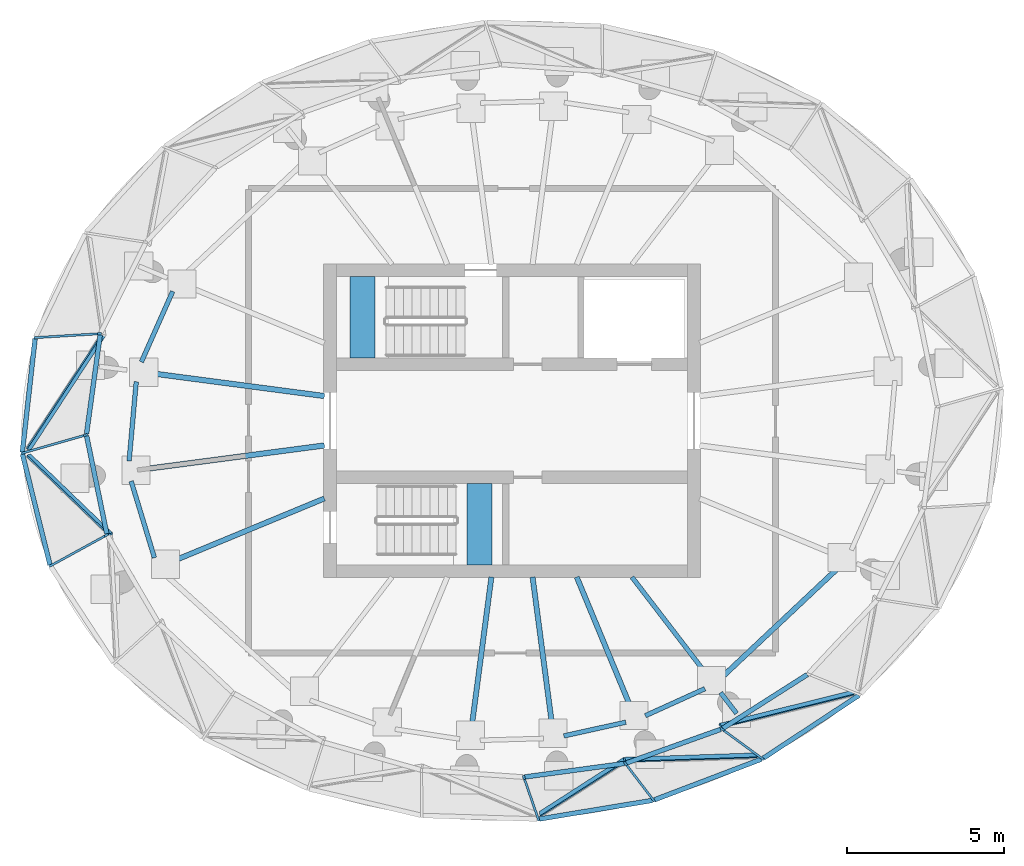
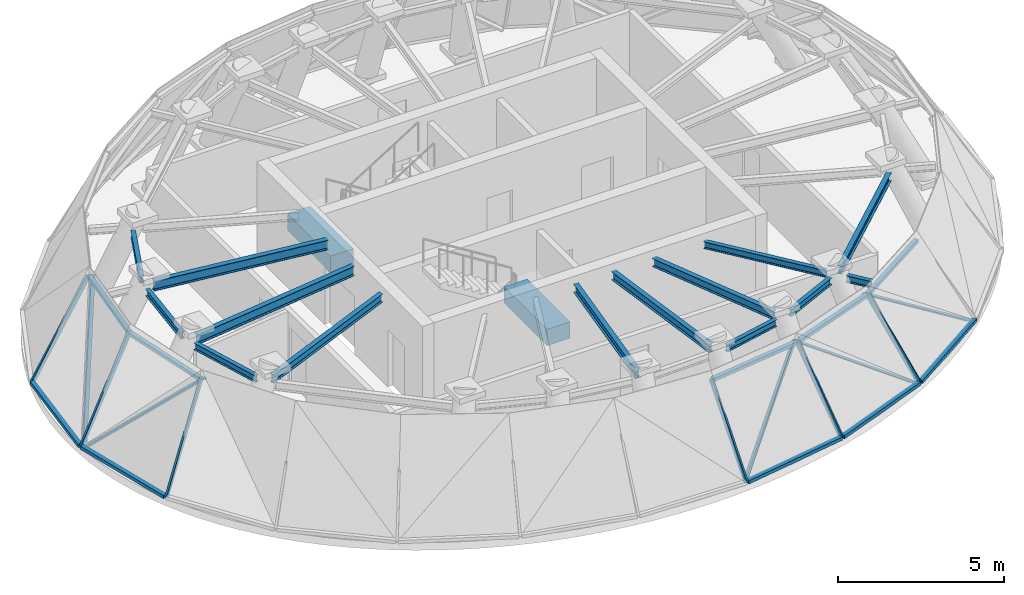
# One storey, part 2 of 8: 21 members, 16 beams, 11 elements without a shape of their own.
"""IFC4 building model written with IfcOpenShell, lengths in metres."""

from ifc_helpers import new_model, si_unit, direction, frame, origin, origin_2d, place, context, subcontext, project, spatial, rectangle, i_section, extrude, source, transform, mapped, material, layer, layer_set, material_profile, profile_set, type_object, element, aggregate, save


model = new_model("IFC4")

# Units and contexts
model_context = context("Model", 3, precision=1e-05, world=origin(), true_north=direction((0.0, 1.0)))
body_context = subcontext(model_context, "Body", "Model", "MODEL_VIEW")
ifc_project = project(units=[si_unit("LENGTHUNIT", "METRE"), si_unit("AREAUNIT", "SQUARE_METRE"), si_unit("VOLUMEUNIT", "CUBIC_METRE"), si_unit("PLANEANGLEUNIT", "RADIAN"), si_unit("MASSUNIT", "GRAM", prefix="KILO")], contexts=[model_context])

# Site, building, storey
site_placement = place(None, origin())
site = spatial("IfcSite", under=ifc_project, at=site_placement, CompositionType="ELEMENT")
building_placement = place(site_placement, origin())
building = spatial("IfcBuilding", under=site, at=building_placement, Name="Spindrift Exchange Tower", CompositionType="ELEMENT")
storey_placement = place(building_placement, frame((0.0, 0.0, 280.10009765625)))
storey = spatial("IfcBuildingStorey", under=building, at=storey_placement, Name="L69", CompositionType="ELEMENT", Elevation=280.10009765625)

# Beams
ifc_material_1 = material(Name="Steel Grade 300", Category="steel")
ifc_material_profile_1 = material_profile(ifc_material_1, i_section(OverallWidth=0.172119140625, OverallDepth=0.35888671875, WebThickness=0.008056640625, FlangeThickness=0.012939453125, FilletRadius=0.013916015625, at=origin_2d()), Name="360UB56.7")
ifc_profile_set_1 = profile_set([ifc_material_profile_1], Name="Steel Grade 300")
beam_type_1 = type_object("IfcBeamType", Name="Floor Beam 360UB56.7 Steel Grade 300", PredefinedType="BEAM", material=ifc_profile_set_1)
shared_shape_1 = source(origin(), body_context, "Body", "SweptSolid", [
    extrude(i_section(OverallWidth=0.172119140625, OverallDepth=0.35888671875, WebThickness=0.008056640625, FlangeThickness=0.012939453125, FilletRadius=0.013916015625, at=origin_2d()), origin(), (0.0, 0.0, 1.0), 5.97705078125),
])
beam_1_placement = place(storey_placement, frame((46.019775390625, 47.212646484375, 3.040283203125), z_axis=(-0.991448038251, -0.130502059169, 0.0), x_axis=(0.130502059169, -0.991448038251, 0.0)))
element("IfcBeam", 1, at=beam_1_placement, inside=storey, type_object=beam_type_1, Name="L69 radial beam R13A", PredefinedType="BEAM", context=body_context, shape_type="MappedRepresentation", body=[
    mapped(shared_shape_1, transform((0.0, 0.0, 0.0), scale=1.0)),
])
ifc_material_profile_2 = material_profile(ifc_material_1, i_section(OverallWidth=0.1650390625, OverallDepth=0.303955078125, WebThickness=0.006103515625, FlangeThickness=0.01025390625, FilletRadius=0.011474609375, at=origin_2d()), Name="310UB40.4")
ifc_profile_set_2 = profile_set([ifc_material_profile_2], Name="Steel Grade 300")
beam_type_2 = type_object("IfcBeamType", Name="Floor Beam 310UB40.4 Steel Grade 300", PredefinedType="BEAM", material=ifc_profile_set_2)
shared_shape_2 = source(origin(), body_context, "Body", "SweptSolid", [
    extrude(i_section(OverallWidth=0.1650390625, OverallDepth=0.303955078125, WebThickness=0.006103515625, FlangeThickness=0.01025390625, FilletRadius=0.011474609375, at=origin_2d()), origin(), (0.0, 0.0, 1.0), 5.4267578125),
])
beam_2_placement = place(storey_placement, frame((46.0185546875, 45.5224609375, 3.06787109375), z_axis=(-0.923884140635, -0.38267230718, 0.0), x_axis=(0.38267230718, -0.923884140635, 0.0)))
element("IfcBeam", 2, at=beam_2_placement, inside=storey, type_object=beam_type_2, Name="L69 radial beam R14A", PredefinedType="BEAM", context=body_context, shape_type="MappedRepresentation", body=[
    mapped(shared_shape_2, transform((0.0, 0.0, 0.0), scale=1.0)),
])
shared_shape_3 = source(origin(), body_context, "Body", "SweptSolid", [
    extrude(i_section(OverallWidth=0.1650390625, OverallDepth=0.303955078125, WebThickness=0.006103515625, FlangeThickness=0.01025390625, FilletRadius=0.011474609375, at=origin_2d()), origin(), (0.0, 0.0, 1.0), 4.927490234375),
])
beam_3_placement = place(storey_placement, frame((51.34423828125, 43.019775390625, 3.06787109375), z_axis=(-0.130508343522, -0.991447211036, 0.0), x_axis=(0.991447211036, -0.130508343522, 0.0)))
element("IfcBeam", 3, at=beam_3_placement, inside=storey, type_object=beam_type_2, Name="L69 radial beam R18A", PredefinedType="BEAM", context=body_context, shape_type="MappedRepresentation", body=[
    mapped(shared_shape_3, transform((0.0, 0.0, 0.0), scale=1.0)),
])
shared_shape_4 = source(origin(), body_context, "Body", "SweptSolid", [
    extrude(i_section(OverallWidth=0.1650390625, OverallDepth=0.303955078125, WebThickness=0.006103515625, FlangeThickness=0.01025390625, FilletRadius=0.011474609375, at=origin_2d()), origin(), (0.0, 0.0, 1.0), 4.849853515625),
])
beam_4_placement = place(storey_placement, frame((52.65576171875, 43.019775390625, 3.06787109375), z_axis=(0.130531341342, -0.991444183465, 0.0), x_axis=(0.991444183465, 0.130531341342, 0.0)))
element("IfcBeam", 4, at=beam_4_placement, inside=storey, type_object=beam_type_2, Name="L69 radial beam R19A", PredefinedType="BEAM", context=body_context, shape_type="MappedRepresentation", body=[
    mapped(shared_shape_4, transform((0.0, 0.0, 0.0), scale=1.0)),
])
shared_shape_5 = source(origin(), body_context, "Body", "SweptSolid", [
    extrude(i_section(OverallWidth=0.1650390625, OverallDepth=0.303955078125, WebThickness=0.006103515625, FlangeThickness=0.01025390625, FilletRadius=0.011474609375, at=origin_2d()), origin(), (0.0, 0.0, 1.0), 4.599853515625),
])
beam_5_placement = place(storey_placement, frame((54.0634765625, 43.0185546875, 3.06787109375), z_axis=(0.382673670509, -0.923883575944, 0.0), x_axis=(0.923883575944, 0.382673670509, 0.0)))
element("IfcBeam", 5, at=beam_5_placement, inside=storey, type_object=beam_type_2, Name="L69 radial beam R20A", PredefinedType="BEAM", context=body_context, shape_type="MappedRepresentation", body=[
    mapped(shared_shape_5, transform((0.0, 0.0, 0.0), scale=1.0)),
])
ifc_material_profile_3 = material_profile(ifc_material_1, i_section(OverallWidth=0.14599609375, OverallDepth=0.251953125, WebThickness=0.006103515625, FlangeThickness=0.008544921875, FilletRadius=0.011962890625, at=origin_2d()), Name="250UB31.4")
ifc_profile_set_3 = profile_set([ifc_material_profile_3], Name="Steel Grade 300")
beam_type_3 = type_object("IfcBeamType", Name="Floor Beam 250UB31.4 Steel Grade 300", PredefinedType="BEAM", material=ifc_profile_set_3)
shared_shape_6 = source(origin(), body_context, "Body", "SweptSolid", [
    extrude(i_section(OverallWidth=0.14599609375, OverallDepth=0.251953125, WebThickness=0.006103515625, FlangeThickness=0.008544921875, FilletRadius=0.011962890625, at=origin_2d()), origin(), (0.0, 0.0, 1.0), 3.979736328125),
])
beam_6_placement = place(storey_placement, frame((55.824462890625, 43.015869140625, 3.093994140625), z_axis=(0.608797236574, -0.793325862896, 0.0), x_axis=(0.793325862896, 0.608797236574, 0.0)))
element("IfcBeam", 6, at=beam_6_placement, inside=storey, type_object=beam_type_3, Name="L69 radial beam R21A", PredefinedType="BEAM", context=body_context, shape_type="MappedRepresentation", body=[
    mapped(shared_shape_6, transform((0.0, 0.0, 0.0), scale=1.0)),
])
ifc_material_profile_4 = material_profile(ifc_material_1, i_section(OverallWidth=0.14599609375, OverallDepth=0.251953125, WebThickness=0.006103515625, FlangeThickness=0.008544921875, FilletRadius=0.011962890625, at=origin_2d()), Name="250UB31.4")
ifc_profile_set_4 = profile_set([ifc_material_profile_4], Name="Steel Grade 300")
beam_type_4 = type_object("IfcBeamType", Name="Cantilever Beam 250UB31.4 Steel Grade 300", PredefinedType="BEAM", material=ifc_profile_set_4)
shared_shape_7 = source(origin(), body_context, "Body", "SweptSolid", [
    extrude(i_section(OverallWidth=0.14599609375, OverallDepth=0.251953125, WebThickness=0.006103515625, FlangeThickness=0.008544921875, FilletRadius=0.011962890625, at=origin_2d()), origin(), (0.0, 0.0, 1.0), 0.83447265625),
])
beam_7_placement = place(storey_placement, frame((58.64892578125, 39.3349609375, 3.093994140625), z_axis=(0.608763124529, -0.79335203927, 0.0), x_axis=(0.79335203927, 0.608763124529, 0.0)))
element("IfcBeam", 7, at=beam_7_placement, inside=storey, type_object=beam_type_4, Name="L69 cantilever beam R21T", PredefinedType="BEAM", context=body_context, shape_type="MappedRepresentation", body=[
    mapped(shared_shape_7, transform((0.0, 0.0, 0.0), scale=1.0)),
])
shared_shape_8 = source(origin(), body_context, "Body", "SweptSolid", [
    extrude(i_section(OverallWidth=0.172119140625, OverallDepth=0.35888671875, WebThickness=0.008056640625, FlangeThickness=0.012939453125, FilletRadius=0.013916015625, at=origin_2d()), origin(), (0.0, 0.0, 1.0), 5.6865234375),
])
beam_8_placement = place(storey_placement, frame((46.019775390625, 48.787353515625, 3.040283203125), z_axis=(-0.991446256555, 0.130515594333, 0.0), x_axis=(-0.130515594333, -0.991446256555, 0.0)))
element("IfcBeam", 8, at=beam_8_placement, inside=storey, type_object=beam_type_1, Name="L69 radial beam R12A", PredefinedType="BEAM", context=body_context, shape_type="MappedRepresentation", body=[
    mapped(shared_shape_8, transform((0.0, 0.0, 0.0), scale=1.0)),
])
ifc_material_profile_5 = material_profile(ifc_material_1, i_section(OverallWidth=0.14599609375, OverallDepth=0.251953125, WebThickness=0.006103515625, FlangeThickness=0.008544921875, FilletRadius=0.011962890625, at=origin_2d()), Name="250UB31.4")
ifc_profile_set_5 = profile_set([ifc_material_profile_5], Name="Steel Grade 300")
beam_type_5 = type_object("IfcBeamType", Name="Edge Beam 250UB31.4 Steel Grade 300", PredefinedType="SPANDREL", material=ifc_profile_set_5)
shared_shape_9 = source(origin(), body_context, "Body", "SweptSolid", [
    extrude(i_section(OverallWidth=0.14599609375, OverallDepth=0.251953125, WebThickness=0.006103515625, FlangeThickness=0.008544921875, FilletRadius=0.011962890625, at=origin_2d()), origin(), (0.0, 0.0, 1.0), 2.548828125),
])
beam_9_placement = place(storey_placement, frame((39.862548828125, 46.07373046875, 3.093994140625), z_axis=(0.290913845014, -0.956749253869, 0.0), x_axis=(0.956749253869, 0.290913845014, 0.0)))
element("IfcBeam", 9, at=beam_9_placement, inside=storey, type_object=beam_type_5, Name="L69 edge beam E13", PredefinedType="SPANDREL", context=body_context, shape_type="MappedRepresentation", body=[
    mapped(shared_shape_9, transform((0.0, 0.0, 0.0), scale=1.0)),
])
shared_shape_10 = source(origin(), body_context, "Body", "SweptSolid", [
    extrude(i_section(OverallWidth=0.14599609375, OverallDepth=0.251953125, WebThickness=0.006103515625, FlangeThickness=0.008544921875, FilletRadius=0.011962890625, at=origin_2d()), origin(), (0.0, 0.0, 1.0), 2.021728515625),
])
beam_10_placement = place(storey_placement, frame((53.65380859375, 37.95556640625, 3.093994140625), z_axis=(0.976357245628, 0.216163199712, 0.0), x_axis=(-0.216163199712, 0.976357245628, 0.0)))
element("IfcBeam", 10, at=beam_10_placement, inside=storey, type_object=beam_type_5, Name="L69 edge beam E19", PredefinedType="SPANDREL", context=body_context, shape_type="MappedRepresentation", body=[
    mapped(shared_shape_10, transform((0.0, 0.0, 0.0), scale=1.0)),
])
shared_shape_11 = source(origin(), body_context, "Body", "SweptSolid", [
    extrude(i_section(OverallWidth=0.14599609375, OverallDepth=0.251953125, WebThickness=0.006103515625, FlangeThickness=0.008544921875, FilletRadius=0.011962890625, at=origin_2d()), origin(), (0.0, 0.0, 1.0), 2.0830078125),
])
beam_11_placement = place(storey_placement, frame((56.25048828125, 38.60009765625, 3.093994140625), z_axis=(0.910711364305, 0.413043352357, 0.0), x_axis=(-0.413043352357, 0.910711364305, 0.0)))
element("IfcBeam", 11, at=beam_11_placement, inside=storey, type_object=beam_type_5, Name="L69 edge beam E20", PredefinedType="SPANDREL", context=body_context, shape_type="MappedRepresentation", body=[
    mapped(shared_shape_11, transform((0.0, 0.0, 0.0), scale=1.0)),
])
ifc_material_profile_6 = material_profile(ifc_material_1, i_section(OverallWidth=0.1650390625, OverallDepth=0.303955078125, WebThickness=0.006103515625, FlangeThickness=0.01025390625, FilletRadius=0.011474609375, at=origin_2d()), Name="310UB40.4")
ifc_profile_set_6 = profile_set([ifc_material_profile_6], Name="Steel Grade 300")
beam_type_6 = type_object("IfcBeamType", Name="Edge Beam 310UB40.4 Steel Grade 300", PredefinedType="SPANDREL", material=ifc_profile_set_6)
shared_shape_12 = source(origin(), body_context, "Body", "SweptSolid", [
    extrude(i_section(OverallWidth=0.1650390625, OverallDepth=0.303955078125, WebThickness=0.006103515625, FlangeThickness=0.01025390625, FilletRadius=0.011474609375, at=origin_2d()), origin(), (0.0, 0.0, 1.0), 5.14892578125),
])
beam_12_placement = place(storey_placement, frame((58.6884765625, 39.82275390625, 3.06787109375), z_axis=(0.72848946586, 0.685057003563, 0.0), x_axis=(-0.685057003563, 0.72848946586, 0.0)))
element("IfcBeam", 12, at=beam_12_placement, inside=storey, type_object=beam_type_6, Name="L69 edge beam E21", PredefinedType="SPANDREL", context=body_context, shape_type="MappedRepresentation", body=[
    mapped(shared_shape_12, transform((0.0, 0.0, 0.0), scale=1.0)),
])
shared_shape_13 = source(origin(), body_context, "Body", "SweptSolid", [
    extrude(i_section(OverallWidth=0.14599609375, OverallDepth=0.251953125, WebThickness=0.006103515625, FlangeThickness=0.008544921875, FilletRadius=0.011962890625, at=origin_2d()), origin(), (0.0, 0.0, 1.0), 2.459228515625),
])
beam_13_placement = place(storey_placement, frame((41.186279296875, 52.1220703125, 3.093994140625), z_axis=(-0.405723938831, -0.913995670373, 0.0), x_axis=(0.913995670373, -0.405723938831, 0.0)))
element("IfcBeam", 13, at=beam_13_placement, inside=storey, type_object=beam_type_5, Name="L69 edge beam E11", PredefinedType="SPANDREL", context=body_context, shape_type="MappedRepresentation", body=[
    mapped(shared_shape_13, transform((0.0, 0.0, 0.0), scale=1.0)),
])
shared_shape_14 = source(origin(), body_context, "Body", "SweptSolid", [
    extrude(i_section(OverallWidth=0.14599609375, OverallDepth=0.251953125, WebThickness=0.006103515625, FlangeThickness=0.008544921875, FilletRadius=0.011962890625, at=origin_2d()), origin(), (0.0, 0.0, 1.0), 2.5361328125),
])
beam_14_placement = place(storey_placement, frame((40.02490234375, 49.243896484375, 3.093994140625), z_axis=(-0.090101766838, -0.995932563788, 0.0), x_axis=(0.995932563788, -0.090101766838, 0.0)))
element("IfcBeam", 14, at=beam_14_placement, inside=storey, type_object=beam_type_5, Name="L69 edge beam E12", PredefinedType="SPANDREL", context=body_context, shape_type="MappedRepresentation", body=[
    mapped(shared_shape_14, transform((0.0, 0.0, 0.0), scale=1.0)),
])

# Curtain wall, member
ifc_material_2 = material(Name="Fritted laminated glass with bronze frame", Category="glass")
ifc_layer = layer(ifc_material_2, 0.14990234375)
ifc_layer_set = layer_set([ifc_layer], Name="CROWN BRONZE RAKED GLAZED WALL")
curtain_wall_type = type_object("IfcCurtainWallType", Name="CROWN BRONZE RAKED GLAZED WALL", PredefinedType="NOTDEFINED", material=ifc_layer_set)
curtain_wall_1_placement = place(storey_placement, origin())
curtain_wall_1 = element("IfcCurtainWall", 15, at=curtain_wall_1_placement, inside=storey, type_object=curtain_wall_type, Name="L69 Crown Bronze Raked Glazed Wall facet 23", PredefinedType="NOTDEFINED")
ifc_material_3 = material(Name="Bronze anodised aluminium", Category="aluminium")
ifc_material_profile_7 = material_profile(ifc_material_3, rectangle(XDim=0.14990234375, YDim=0.1201171875, at=origin_2d()), Name="CROWN BRONZE RAKED GLAZED WALL TRANSOM 150X120")
ifc_profile_set_7 = profile_set([ifc_material_profile_7], Name="Bronze anodised aluminium")
member_type_1 = type_object("IfcMemberType", Name="CROWN BRONZE RAKED GLAZED WALL TRANSOM 150X120", PredefinedType="USERDEFINED", material=ifc_profile_set_7)
shared_shape_15 = source(origin(), body_context, "Body", "SweptSolid", [
    extrude(rectangle(XDim=0.14990234375, YDim=0.1201171875, at=origin_2d()), origin(), (0.0, 0.0, 1.0), 3.63427734375),
])
member_1_placement = place(storey_placement, frame((36.394287109375, 47.002197265625, 0.059814453125), z_axis=(0.111648000541, 0.993747817092, 0.0), x_axis=(-0.993747817092, 0.111648000541, 0.0)))
member_1 = element("IfcMember", 16, at=member_1_placement, type_object=member_type_1, Name="L69 transom CW-R.12a", ObjectType="TRANSOM", PredefinedType="USERDEFINED", context=body_context, shape_type="MappedRepresentation", body=[
    mapped(shared_shape_15, transform((0.0, 0.0, 0.0), scale=1.0)),
])

curtain_wall_2_placement = place(storey_placement, origin())
curtain_wall_2 = element("IfcCurtainWall", 17, at=curtain_wall_2_placement, inside=storey, type_object=curtain_wall_type, Name="L69 Crown Bronze Raked Glazed Wall facet 25", PredefinedType="NOTDEFINED")
member_2_placement = place(storey_placement, frame((36.398681640625, 46.93359375, 0.059814453125), z_axis=(0.241571306487, -0.97038307069, 0.0), x_axis=(0.97038307069, 0.241571306487, 0.0)))
member_2 = element("IfcMember", 18, at=member_2_placement, type_object=member_type_1, Name="L69 transom CW-R.13a", ObjectType="TRANSOM", PredefinedType="USERDEFINED", context=body_context, shape_type="MappedRepresentation", body=[
    mapped(shared_shape_15, transform((0.0, 0.0, 0.0), scale=1.0)),
])

curtain_wall_3_placement = place(storey_placement, origin())
curtain_wall_3 = element("IfcCurtainWall", 19, at=curtain_wall_3_placement, inside=storey, type_object=curtain_wall_type, Name="L69 Crown Bronze Raked Glazed Wall facet 39", PredefinedType="NOTDEFINED")
shared_shape_16 = source(origin(), body_context, "Body", "SweptSolid", [
    extrude(rectangle(XDim=0.14990234375, YDim=0.1201171875, at=origin_2d()), origin(), (0.0, 0.0, 1.0), 3.646728515625),
])
member_3_placement = place(storey_placement, frame((59.948974609375, 37.21533203125, 0.059814453125), z_axis=(-0.934654139779, -0.355558207604, 0.0), x_axis=(0.355558207604, -0.934654139779, 0.0)))
member_3 = element("IfcMember", 20, at=member_3_placement, type_object=member_type_1, Name="L69 transom CW-R.20a", ObjectType="TRANSOM", PredefinedType="USERDEFINED", context=body_context, shape_type="MappedRepresentation", body=[
    mapped(shared_shape_16, transform((0.0, 0.0, 0.0), scale=1.0)),
])

curtain_wall_4_placement = place(storey_placement, origin())
curtain_wall_4 = element("IfcCurtainWall", 21, at=curtain_wall_4_placement, inside=storey, type_object=curtain_wall_type, Name="L69 Crown Bronze Raked Glazed Wall facet 37", PredefinedType="NOTDEFINED")
shared_shape_17 = source(origin(), body_context, "Body", "SweptSolid", [
    extrude(rectangle(XDim=0.14990234375, YDim=0.1201171875, at=origin_2d()), origin(), (0.0, 0.0, 1.0), 3.6474609375),
])
member_4_placement = place(storey_placement, frame((52.87451171875, 35.307373046875, 0.059814453125), z_axis=(0.986694371983, 0.162586027376, 0.0), x_axis=(-0.162586027376, 0.986694371983, 0.0)))
member_4 = element("IfcMember", 22, at=member_4_placement, type_object=member_type_1, Name="L69 transom CW-R.19a", ObjectType="TRANSOM", PredefinedType="USERDEFINED", context=body_context, shape_type="MappedRepresentation", body=[
    mapped(shared_shape_17, transform((0.0, 0.0, 0.0), scale=1.0)),
])

curtain_wall_5_placement = place(storey_placement, origin())
curtain_wall_5 = element("IfcCurtainWall", 23, at=curtain_wall_5_placement, inside=storey, type_object=curtain_wall_type, Name="L69 Crown Bronze Raked Glazed Wall facet 41", PredefinedType="NOTDEFINED")
shared_shape_18 = source(origin(), body_context, "Body", "SweptSolid", [
    extrude(rectangle(XDim=0.14990234375, YDim=0.1201171875, at=origin_2d()), origin(), (0.0, 0.0, 1.0), 3.645263671875),
])
member_5_placement = place(storey_placement, frame((63.05712890625, 39.24951171875, 0.059814453125), z_axis=(-0.835618526888, -0.54931018334, 0.0), x_axis=(0.54931018334, -0.835618526888, 0.0)))
member_5 = element("IfcMember", 24, at=member_5_placement, type_object=member_type_1, Name="L69 transom CW-R.21a", ObjectType="TRANSOM", PredefinedType="USERDEFINED", context=body_context, shape_type="MappedRepresentation", body=[
    mapped(shared_shape_18, transform((0.0, 0.0, 0.0), scale=1.0)),
])

# Curtain wall, members
curtain_wall_6_placement = place(storey_placement, origin())
curtain_wall_6 = element("IfcCurtainWall", 25, at=curtain_wall_6_placement, inside=storey, type_object=curtain_wall_type, Name="L69 Crown Bronze Raked Glazed Wall facet 26", PredefinedType="NOTDEFINED")
shared_shape_19 = source(origin(), body_context, "Body", "SweptSolid", [
    extrude(rectangle(XDim=0.14990234375, YDim=0.1201171875, at=origin_2d()), origin(), (0.0, 0.0, 1.0), 3.1845703125),
])
member_6_placement = place(storey_placement, frame((38.442626953125, 47.516845703125, 3.159912109375), z_axis=(0.20208335851, -0.979368325102, 0.0), x_axis=(0.979368325102, 0.20208335851, 0.0)))
member_6 = element("IfcMember", 26, at=member_6_placement, type_object=member_type_1, Name="L69 transom CW-R.13b", ObjectType="TRANSOM", PredefinedType="USERDEFINED", context=body_context, shape_type="MappedRepresentation", body=[
    mapped(shared_shape_19, transform((0.0, 0.0, 0.0), scale=1.0)),
])
ifc_material_profile_8 = material_profile(ifc_material_3, rectangle(XDim=0.070068359375, YDim=0.14990234375, at=origin_2d()), Name="CROWN BRONZE RAKED GLAZED WALL MULLION 70X150")
ifc_profile_set_8 = profile_set([ifc_material_profile_8], Name="Bronze anodised aluminium")
member_type_2 = type_object("IfcMemberType", Name="CROWN BRONZE RAKED GLAZED WALL MULLION 70X150", PredefinedType="MULLION", material=ifc_profile_set_8)
shared_shape_20 = source(origin(), body_context, "Body", "SweptSolid", [
    extrude(rectangle(XDim=0.070068359375, YDim=0.14990234375, at=origin_2d()), origin(), (0.0, 0.0, 1.0), 3.760009765625),
])
member_7_placement = place(storey_placement, frame((36.41650390625, 46.97509765625, 0.041259765625), z_axis=(0.529965715125, 0.151223983157, 0.834426538235), x_axis=(-0.274394338312, 0.961617256034, 0.0)))
member_7 = element("IfcMember", 27, at=member_7_placement, type_object=member_type_2, Name="L69 mullion CW-R.13", PredefinedType="MULLION", context=body_context, shape_type="MappedRepresentation", body=[
    mapped(shared_shape_20, transform((0.0, 0.0, 0.0), scale=1.0)),
])
aggregate(curtain_wall_6, [member_6, member_7])

# Member
shared_shape_21 = source(origin(), body_context, "Body", "SweptSolid", [
    extrude(rectangle(XDim=0.070068359375, YDim=0.14990234375, at=origin_2d()), origin(), (0.0, 0.0, 1.0), 4.7705078125),
])
member_8_placement = place(storey_placement, frame((36.598876953125, 46.893798828125, 0.056884765625), z_axis=(0.546578973874, -0.526568451516, 0.651135232641), x_axis=(0.142274684308, 0.82464926191, 0.547459139148)))
member_8 = element("IfcMember", 28, at=member_8_placement, type_object=member_type_2, Name="L69 glazing bar CW-R.13", PredefinedType="MULLION", context=body_context, shape_type="MappedRepresentation", body=[
    mapped(shared_shape_21, transform((0.0, 0.0, 0.0), scale=1.0)),
])

aggregate(curtain_wall_2, [member_2, member_8])

# Curtain wall, member
curtain_wall_7_placement = place(storey_placement, origin())
curtain_wall_7 = element("IfcCurtainWall", 29, at=curtain_wall_7_placement, inside=storey, type_object=curtain_wall_type, Name="L69 Crown Bronze Raked Glazed Wall facet 27", PredefinedType="NOTDEFINED")
shared_shape_22 = source(origin(), body_context, "Body", "SweptSolid", [
    extrude(rectangle(XDim=0.070068359375, YDim=0.14990234375, at=origin_2d()), origin(), (0.0, 0.0, 1.0), 3.7275390625),
])
member_9_placement = place(storey_placement, frame((37.307861328125, 43.385498046875, 0.040283203125), z_axis=(0.472889864394, 0.25910696725, 0.842163140773), x_axis=(-0.480519295538, 0.876984154142, 0.0)))
member_9 = element("IfcMember", 30, at=member_9_placement, type_object=member_type_2, Name="L69 mullion CW-R.14", PredefinedType="MULLION", context=body_context, shape_type="MappedRepresentation", body=[
    mapped(shared_shape_22, transform((0.0, 0.0, 0.0), scale=1.0)),
])
aggregate(curtain_wall_7, [member_9])

curtain_wall_8_placement = place(storey_placement, origin())
curtain_wall_8 = element("IfcCurtainWall", 31, at=curtain_wall_8_placement, inside=storey, type_object=curtain_wall_type, Name="L69 Crown Bronze Raked Glazed Wall facet 40", PredefinedType="NOTDEFINED")
shared_shape_23 = source(origin(), body_context, "Body", "SweptSolid", [
    extrude(rectangle(XDim=0.14990234375, YDim=0.1201171875, at=origin_2d()), origin(), (0.0, 0.0, 1.0), 3.194091796875),
])
member_10_placement = place(storey_placement, frame((58.65283203125, 38.16455078125, 3.159912109375), z_axis=(-0.941969958501, -0.335697180926, 0.0), x_axis=(0.335697180926, -0.941969958501, 0.0)))
member_10 = element("IfcMember", 32, at=member_10_placement, type_object=member_type_1, Name="L69 transom CW-R.20b", ObjectType="TRANSOM", PredefinedType="USERDEFINED", context=body_context, shape_type="MappedRepresentation", body=[
    mapped(shared_shape_23, transform((0.0, 0.0, 0.0), scale=1.0)),
])

# Curtain wall, members
curtain_wall_9_placement = place(storey_placement, origin())
curtain_wall_9 = element("IfcCurtainWall", 33, at=curtain_wall_9_placement, inside=storey, type_object=curtain_wall_type, Name="L69 Crown Bronze Raked Glazed Wall facet 38", PredefinedType="NOTDEFINED")
shared_shape_24 = source(origin(), body_context, "Body", "SweptSolid", [
    extrude(rectangle(XDim=0.14990234375, YDim=0.1201171875, at=origin_2d()), origin(), (0.0, 0.0, 1.0), 3.19482421875),
])
member_11_placement = place(storey_placement, frame((52.410400390625, 36.64794921875, 3.159912109375), z_axis=(0.990986673488, 0.133960490332, 0.0), x_axis=(-0.133960490332, 0.990986673488, 0.0)))
member_11 = element("IfcMember", 34, at=member_11_placement, type_object=member_type_1, Name="L69 transom CW-R.19b", ObjectType="TRANSOM", PredefinedType="USERDEFINED", context=body_context, shape_type="MappedRepresentation", body=[
    mapped(shared_shape_24, transform((0.0, 0.0, 0.0), scale=1.0)),
])
shared_shape_25 = source(origin(), body_context, "Body", "SweptSolid", [
    extrude(rectangle(XDim=0.070068359375, YDim=0.14990234375, at=origin_2d()), origin(), (0.0, 0.0, 1.0), 3.452880859375),
])
member_12_placement = place(storey_placement, frame((52.83544921875, 35.314208984375, 0.0302734375), z_axis=(-0.131868369812, 0.381251608593, 0.915018002003), x_axis=(-0.945065230608, -0.32688179805, 0.0)))
member_12 = element("IfcMember", 35, at=member_12_placement, type_object=member_type_2, Name="L69 mullion CW-R.19", PredefinedType="MULLION", context=body_context, shape_type="MappedRepresentation", body=[
    mapped(shared_shape_25, transform((0.0, 0.0, 0.0), scale=1.0)),
])
aggregate(curtain_wall_9, [member_11, member_12])

# Member
shared_shape_26 = source(origin(), body_context, "Body", "SweptSolid", [
    extrude(rectangle(XDim=0.070068359375, YDim=0.14990234375, at=origin_2d()), origin(), (0.0, 0.0, 1.0), 4.4521484375),
])
member_13_placement = place(storey_placement, frame((52.90771484375, 35.4736328125, 0.053466796875), z_axis=(0.601654798512, 0.386261064593, 0.699152267684), x_axis=(-0.784225017323, 0.119453763216, 0.608869378979)))
member_13 = element("IfcMember", 36, at=member_13_placement, type_object=member_type_2, Name="L69 glazing bar CW-R.19", PredefinedType="MULLION", context=body_context, shape_type="MappedRepresentation", body=[
    mapped(shared_shape_26, transform((0.0, 0.0, 0.0), scale=1.0)),
])

aggregate(curtain_wall_4, [member_4, member_13])

shared_shape_27 = source(origin(), body_context, "Body", "SweptSolid", [
    extrude(rectangle(XDim=0.070068359375, YDim=0.14990234375, at=origin_2d()), origin(), (0.0, 0.0, 1.0), 3.47412109375),
])
member_14_placement = place(storey_placement, frame((56.499267578125, 35.91748046875, 0.03125), z_axis=(-0.253196665504, 0.331481729443, 0.908851644452), x_axis=(-0.794692453535, -0.607012276889, 0.0)))
member_14 = element("IfcMember", 37, at=member_14_placement, type_object=member_type_2, Name="L69 mullion CW-R.20", PredefinedType="MULLION", context=body_context, shape_type="MappedRepresentation", body=[
    mapped(shared_shape_27, transform((0.0, 0.0, 0.0), scale=1.0)),
])

aggregate(curtain_wall_3, [member_3, member_14])

shared_shape_28 = source(origin(), body_context, "Body", "SweptSolid", [
    extrude(rectangle(XDim=0.070068359375, YDim=0.14990234375, at=origin_2d()), origin(), (0.0, 0.0, 1.0), 5.22705078125),
])
member_15_placement = place(storey_placement, frame((59.7958984375, 37.333984375, 0.060302734375), z_axis=(-0.804815701261, -0.027137015985, 0.592904097952), x_axis=(-0.508146230949, -0.484682781184, -0.71194803855)))
member_15 = element("IfcMember", 38, at=member_15_placement, type_object=member_type_2, Name="L69 glazing bar CW-R.20", PredefinedType="MULLION", context=body_context, shape_type="MappedRepresentation", body=[
    mapped(shared_shape_28, transform((0.0, 0.0, 0.0), scale=1.0)),
])

aggregate(curtain_wall_8, [member_10, member_15])

# Curtain wall, member
curtain_wall_10_placement = place(storey_placement, origin())
curtain_wall_10 = element("IfcCurtainWall", 39, at=curtain_wall_10_placement, inside=storey, type_object=curtain_wall_type, Name="L69 Crown Bronze Raked Glazed Wall facet 42", PredefinedType="NOTDEFINED")
shared_shape_29 = source(origin(), body_context, "Body", "SweptSolid", [
    extrude(rectangle(XDim=0.14990234375, YDim=0.1201171875, at=origin_2d()), origin(), (0.0, 0.0, 1.0), 3.19287109375),
])
member_16_placement = place(storey_placement, frame((61.408935546875, 39.9091796875, 3.159912109375), z_axis=(-0.843661487732, -0.536875492193, 0.0), x_axis=(0.536875492193, -0.843661487732, 0.0)))
member_16 = element("IfcMember", 40, at=member_16_placement, type_object=member_type_1, Name="L69 transom CW-R.21b", ObjectType="TRANSOM", PredefinedType="USERDEFINED", context=body_context, shape_type="MappedRepresentation", body=[
    mapped(shared_shape_29, transform((0.0, 0.0, 0.0), scale=1.0)),
])

# Member
shared_shape_30 = source(origin(), body_context, "Body", "SweptSolid", [
    extrude(rectangle(XDim=0.070068359375, YDim=0.14990234375, at=origin_2d()), origin(), (0.0, 0.0, 1.0), 3.5234375),
])
member_17_placement = place(storey_placement, frame((59.96826171875, 37.23779296875, 0.033447265625), z_axis=(-0.360168190837, 0.263578260474, 0.89487729601), x_axis=(-0.5905691813, -0.806987014826, 0.0)))
member_17 = element("IfcMember", 41, at=member_17_placement, type_object=member_type_2, Name="L69 mullion CW-R.21", PredefinedType="MULLION", context=body_context, shape_type="MappedRepresentation", body=[
    mapped(shared_shape_30, transform((0.0, 0.0, 0.0), scale=1.0)),
])

aggregate(curtain_wall_5, [member_5, member_17])

shared_shape_31 = source(origin(), body_context, "Body", "SweptSolid", [
    extrude(rectangle(XDim=0.070068359375, YDim=0.14990234375, at=origin_2d()), origin(), (0.0, 0.0, 1.0), 5.349853515625),
])
member_18_placement = place(storey_placement, frame((62.871826171875, 39.32958984375, 0.06103515625), z_axis=(-0.79130632228, -0.196411903754, 0.579013530397), x_axis=(-0.372039472427, -0.596829614989, -0.710901569578)))
member_18 = element("IfcMember", 42, at=member_18_placement, type_object=member_type_2, Name="L69 glazing bar CW-R.21", PredefinedType="MULLION", context=body_context, shape_type="MappedRepresentation", body=[
    mapped(shared_shape_31, transform((0.0, 0.0, 0.0), scale=1.0)),
])

aggregate(curtain_wall_10, [member_16, member_18])

# Curtain wall, member
curtain_wall_11_placement = place(storey_placement, origin())
curtain_wall_11 = element("IfcCurtainWall", 43, at=curtain_wall_11_placement, inside=storey, type_object=curtain_wall_type, Name="L69 Crown Bronze Raked Glazed Wall facet 24", PredefinedType="NOTDEFINED")
shared_shape_32 = source(origin(), body_context, "Body", "SweptSolid", [
    extrude(rectangle(XDim=0.14990234375, YDim=0.1201171875, at=origin_2d()), origin(), (0.0, 0.0, 1.0), 3.184814453125),
])
member_19_placement = place(storey_placement, frame((38.440185546875, 47.5859375, 3.159912109375), z_axis=(0.136912361198, 0.990583164278, 0.0), x_axis=(-0.990583164278, 0.136912361198, 0.0)))
member_19 = element("IfcMember", 44, at=member_19_placement, type_object=member_type_1, Name="L69 transom CW-R.12b", ObjectType="TRANSOM", PredefinedType="USERDEFINED", context=body_context, shape_type="MappedRepresentation", body=[
    mapped(shared_shape_32, transform((0.0, 0.0, 0.0), scale=1.0)),
])

# Member
shared_shape_33 = source(origin(), body_context, "Body", "SweptSolid", [
    extrude(rectangle(XDim=0.070068359375, YDim=0.14990234375, at=origin_2d()), origin(), (0.0, 0.0, 1.0), 3.737060546875),
])
member_20_placement = place(storey_placement, frame((36.830078125, 50.650146484375, 0.04052734375), z_axis=(0.54177552903, 0.033056604086, 0.839872929121), x_axis=(-0.060902054264, 0.998143747056, 0.0)))
member_20 = element("IfcMember", 45, at=member_20_placement, type_object=member_type_2, Name="L69 mullion CW-R.12", PredefinedType="MULLION", context=body_context, shape_type="MappedRepresentation", body=[
    mapped(shared_shape_33, transform((0.0, 0.0, 0.0), scale=1.0)),
])

aggregate(curtain_wall_1, [member_1, member_20])

shared_shape_34 = source(origin(), body_context, "Body", "SweptSolid", [
    extrude(rectangle(XDim=0.070068359375, YDim=0.14990234375, at=origin_2d()), origin(), (0.0, 0.0, 1.0), 5.362548828125),
])
member_21_placement = place(storey_placement, frame((36.595703125, 47.1005859375, 0.06103515625), z_axis=(0.446857278634, 0.683102048765, 0.577659210526), x_axis=(-0.276315744167, 0.719531098684, -0.637122129228)))
member_21 = element("IfcMember", 46, at=member_21_placement, type_object=member_type_2, Name="L69 glazing bar CW-R.12", PredefinedType="MULLION", context=body_context, shape_type="MappedRepresentation", body=[
    mapped(shared_shape_34, transform((0.0, 0.0, 0.0), scale=1.0)),
])

aggregate(curtain_wall_11, [member_19, member_21])

# Beams
ifc_material_4 = material(Name="Concrete 40 MPa", Category="concrete")
ifc_material_profile_9 = material_profile(ifc_material_4, rectangle(XDim=0.800048828125, YDim=0.60009765625, at=origin_2d()), Name="RC 800x600")
ifc_profile_set_9 = profile_set([ifc_material_profile_9], Name="Concrete 40 MPa")
beam_type_7 = type_object("IfcBeamType", Name="RC Landing Beam 800x600 Concrete 40 MPa", PredefinedType="BEAM", material=ifc_profile_set_9)
shared_shape_35 = source(origin(), body_context, "Body", "SweptSolid", [
    extrude(rectangle(XDim=0.800048828125, YDim=0.60009765625, at=origin_2d()), origin(), (0.0, 0.0, 1.0), 2.59912109375),
])
for number, where, z_axis, x_axis, name in (
    (47, (47.22998046875, 50.00048828125, 1.25), (0.0, 1.0, 0.0), (-1.0, 0.0, 0.0), "ST3 landing beam L69"),
    (48, (50.969970703125, 43.400390625, 1.25), (0.0, 1.0, 0.0), (-1.0, 0.0, 0.0), "ST4 landing beam L69"),
):
    element("IfcBeam", number, at=place(storey_placement, frame(where, z_axis=z_axis, x_axis=x_axis)), inside=storey, type_object=beam_type_7, Name=name, PredefinedType="BEAM", context=body_context, shape_type="MappedRepresentation", body=[
        mapped(shared_shape_35, transform((0.0, 0.0, 0.0), scale=1.0)),
    ])

save(model, "model.ifc")
